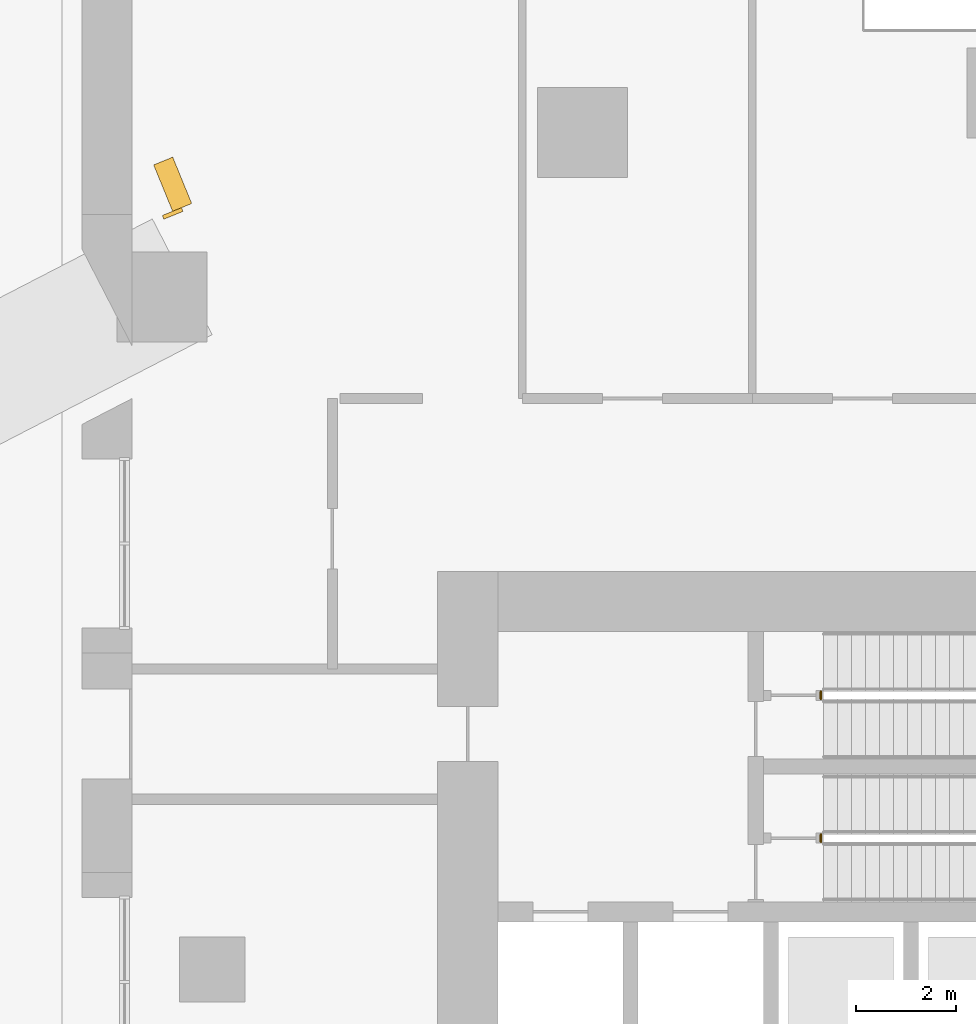
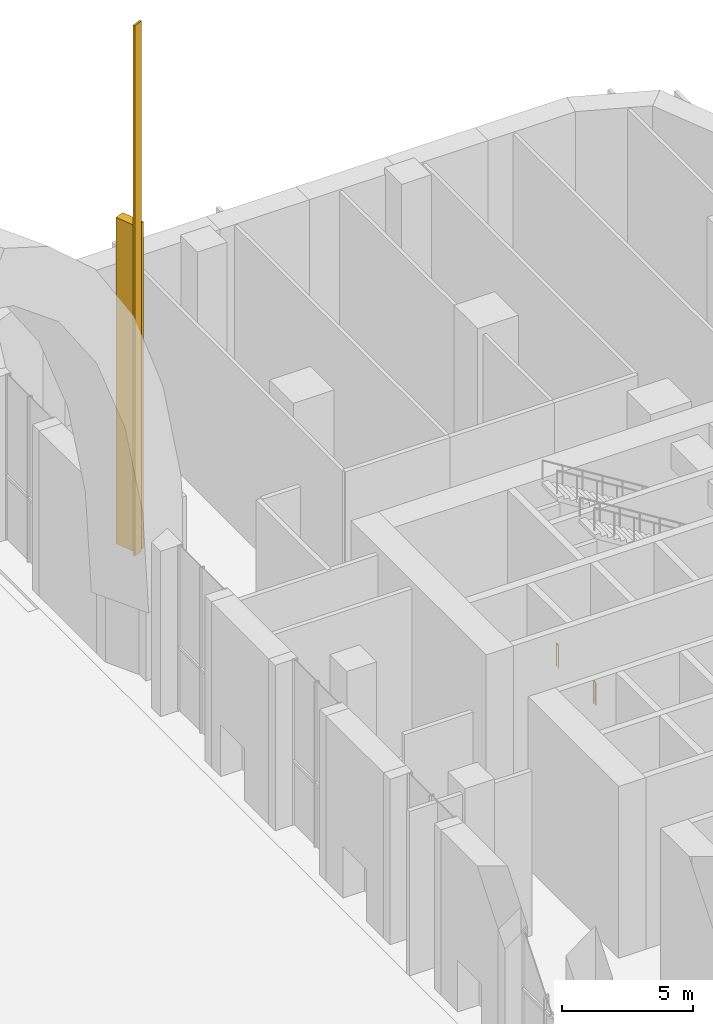
# One storey, part 18 of 22: 2 coverings, 2 railings.
"""IFC4 building model written with IfcOpenShell, lengths in metres."""

import ifcopenshell
import ifcopenshell.guid

model = None  # the IFC model being written
_history = None  # IfcOwnerHistory: only IFC2X3 demands one
_inside = {}  # id of a spatial element -> (the spatial element, [elements in it])
_under = {}  # id of a project, library or spatial element -> (it, [spatial elements below it])
_declared = {}  # id of a project -> (the project, [libraries it declares])
_typed = {}  # id of a type object -> (the type object, [elements of that type])
_made_of = {}  # id of a material, layer set ... -> (it, [elements and type objects made of it])


def new_model(schema):
    """Start an empty IFC model of exactly this schema.

    Asked for "IFC4X3", IfcOpenShell would pick the latest addendum, in which some entities
    have other attributes; the version numbers below select the first issue.
    IFC2X3 requires an IfcOwnerHistory on every rooted entity: one is made here for all.
    """
    global model, _history
    if schema == "IFC4X3":
        model = ifcopenshell.file(schema_version=(4, 3, 0, 0))
    else:
        model = ifcopenshell.file(schema=schema)
    _inside.clear()
    _under.clear()
    _declared.clear()
    _typed.clear()
    _made_of.clear()
    _history = None
    if model.schema == "IFC2X3":
        org = make("IfcOrganization", Name="unknown")
        user = make(
            "IfcPersonAndOrganization",
            ThePerson=make("IfcPerson", FamilyName="unknown"),
            TheOrganization=org,
        )
        app = make(
            "IfcApplication",
            ApplicationDeveloper=org,
            Version="unknown",
            ApplicationFullName="unknown",
            ApplicationIdentifier="unknown",
        )
        _history = make(
            "IfcOwnerHistory",
            OwningUser=user,
            OwningApplication=app,
            ChangeAction="ADDED",
            CreationDate=0,
        )
    return model


def make(cls, **values):
    """One entity of the class cls with the attributes given. An attribute that is None is left unset."""
    return model.create_entity(
        cls, **{name: value for name, value in values.items() if value is not None}
    )


def rooted(cls, **values):
    """An entity with a GlobalId (a new one), such as an element, a storey or a relation."""
    return make(cls, GlobalId=ifcopenshell.guid.new(), OwnerHistory=_history, **values)


def si_unit(unit_type, name, prefix=None):
    """IfcSIUnit, for example si_unit("LENGTHUNIT", "METRE", prefix="MILLI")."""
    return make("IfcSIUnit", UnitType=unit_type, Prefix=prefix, Name=name)


def assignment(units):
    """IfcUnitAssignment: the units of a project."""
    return None if units is None else make("IfcUnitAssignment", Units=units)


def point(xyz):
    """IfcCartesianPoint."""
    return None if xyz is None else make("IfcCartesianPoint", Coordinates=xyz)


def direction(xyz):
    """IfcDirection."""
    return None if xyz is None else make("IfcDirection", DirectionRatios=xyz)


def frame(location, z_axis=None, x_axis=None):
    """IfcAxis2Placement3D, a coordinate frame: its origin and axes. An axis left out is left unset."""
    return make(
        "IfcAxis2Placement3D",
        Location=point(location),
        Axis=direction(z_axis),
        RefDirection=direction(x_axis),
    )


def frame_2d(location, x_axis=None):
    """IfcAxis2Placement2D, a coordinate frame in the plane: its origin and x axis."""
    return make(
        "IfcAxis2Placement2D", Location=point(location), RefDirection=direction(x_axis)
    )


def origin():
    """The frame at (0, 0, 0) with its axes left unset."""
    return frame((0.0, 0.0, 0.0))


def origin_2d():
    """The frame at (0, 0) in the plane with its x axis left unset."""
    return frame_2d((0.0, 0.0))


def place(relative_to, where):
    """IfcLocalPlacement: puts the frame where relative to a parent placement (None: the world)."""
    return make(
        "IfcLocalPlacement", PlacementRelTo=relative_to, RelativePlacement=where
    )


def context(
    kind, dimensions, precision=None, world=None, true_north=None, identifier=None
):
    """IfcGeometricRepresentationContext, for example the 3D "Model" context."""
    return make(
        "IfcGeometricRepresentationContext",
        ContextIdentifier=identifier,
        ContextType=kind,
        CoordinateSpaceDimension=dimensions,
        Precision=precision,
        WorldCoordinateSystem=world,
        TrueNorth=true_north,
    )


def subcontext(parent, identifier, kind, view, scale=None):
    """IfcGeometricRepresentationSubContext, for example "Body" below "Model"."""
    return make(
        "IfcGeometricRepresentationSubContext",
        ContextIdentifier=identifier,
        ContextType=kind,
        ParentContext=parent,
        TargetScale=scale,
        TargetView=view,
    )


def project(units=None, contexts=None):
    """IfcProject with its units and contexts."""
    return rooted(
        "IfcProject",
        Name="project",
        RepresentationContexts=contexts,
        UnitsInContext=assignment(units),
    )


def spatial(cls, under=None, at=None, **own):
    """A site, building, storey or space (cls), placed at a placement, below another one or the project."""
    s = rooted(cls, ObjectPlacement=at, **own)
    if under is not None:
        _under.setdefault(under.id(), (under, []))[1].append(s)
    return s


def profile(cls, at=None, kind="AREA", **sizes):
    """A parametric profile (cls). Its sizes go by their IFC names, for example OverallWidth=200.0."""
    return make(cls, ProfileType=kind, Position=at, **sizes)


def rectangle(**sizes):
    """IfcRectangleProfileDef."""
    return profile("IfcRectangleProfileDef", **sizes)


def circle(**sizes):
    """IfcCircleProfileDef."""
    return profile("IfcCircleProfileDef", **sizes)


def extrude(swept, where, along, depth):
    """IfcExtrudedAreaSolid: the profile swept, set in the frame where, extruded along a direction by depth."""
    return make(
        "IfcExtrudedAreaSolid",
        SweptArea=swept,
        Position=where,
        ExtrudedDirection=direction(along),
        Depth=depth,
    )


def shape(context_of_items, identifier, shape_type, items):
    """IfcShapeRepresentation: the items that make up one representation, for example the "Body"."""
    return make(
        "IfcShapeRepresentation",
        ContextOfItems=context_of_items,
        RepresentationIdentifier=identifier,
        RepresentationType=shape_type,
        Items=items,
    )


def material(Name=None, Category=None):
    """IfcMaterial."""
    return make("IfcMaterial", Name=Name, Category=Category)


def layer(
    of_material, thickness, ventilated=None, Name=None, Category=None, Priority=None
):
    """IfcMaterialLayer: one layer of a wall or slab, of a material (None: an air gap)."""
    return make(
        "IfcMaterialLayer",
        Material=of_material,
        LayerThickness=thickness,
        IsVentilated=ventilated,
        Name=Name,
        Category=Category,
        Priority=Priority,
    )


def layer_set(layers, Name=None):
    """IfcMaterialLayerSet."""
    return make("IfcMaterialLayerSet", MaterialLayers=layers, LayerSetName=Name)


def made_of(thing, what):
    """Note that an element or type object is made of a material, layer set ...; save() writes the relation."""
    if what is not None:
        _made_of.setdefault(what.id(), (what, []))[1].append(thing)
    return thing


def type_object(cls, material=None, **own):
    """A type object (cls), such as IfcWallType, which elements share."""
    return made_of(rooted(cls, **own), material)


def element(
    cls,
    number,
    at=None,
    inside=None,
    cuts=None,
    type_object=None,
    material=None,
    context=None,
    identifier="Body",
    shape_type=None,
    held_by="IfcProductDefinitionShape",
    body=None,
    shapes=None,
    **own,
):
    """One element of the class cls, such as IfcWall. Its Tag is "e" and its number.

    at: its placement. inside: the storey or other place that contains it. cuts: it is an
    opening in that element (IfcRelVoidsElement). A single representation is given by context,
    identifier, shape_type and body (its items); several are given by shapes. held_by: the class
    of the entity that holds the representations. save() writes the other relations.
    """
    e = rooted(cls, Tag="e%d" % number, ObjectPlacement=at, **own)
    if body is not None:
        shapes = [shape(context, identifier, shape_type, body)]
    if shapes is not None:
        e.Representation = make(held_by, Representations=shapes)
    if inside is not None:
        _inside.setdefault(inside.id(), (inside, []))[1].append(e)
    if cuts is not None:
        rooted(
            "IfcRelVoidsElement", RelatingBuildingElement=cuts, RelatedOpeningElement=e
        )
    if type_object is not None:
        _typed.setdefault(type_object.id(), (type_object, []))[1].append(e)
    return made_of(e, material)


def aggregate(whole, parts):
    """IfcRelAggregates: a whole, such as a stair, and the parts it consists of."""
    return rooted("IfcRelAggregates", RelatingObject=whole, RelatedObjects=parts)


def save(model, path):
    """Write the relations noted so far, then the file.

    IfcRelAggregates (storeys below a building ...), IfcRelContainedInSpatialStructure (elements
    in a storey), IfcRelDefinesByType, IfcRelAssociatesMaterial and IfcRelDeclares: one each for
    every whole, place, type object, material and project.
    """
    for whole, parts in _under.values():
        aggregate(whole, parts)
    for where, things in _inside.values():
        rooted(
            "IfcRelContainedInSpatialStructure",
            RelatedElements=things,
            RelatingStructure=where,
        )
    for kind, things in _typed.values():
        rooted("IfcRelDefinesByType", RelatedObjects=things, RelatingType=kind)
    for what, things in _made_of.values():
        rooted("IfcRelAssociatesMaterial", RelatedObjects=things, RelatingMaterial=what)
    for by, libraries in _declared.values():
        rooted("IfcRelDeclares", RelatingContext=by, RelatedDefinitions=libraries)
    model.write(path)


model = new_model("IFC4")

# Units and contexts
model_context = context("Model", 3, precision=1e-05, world=origin(), true_north=direction((0.0, 1.0)))
body_context = subcontext(model_context, "Body", "Model", "MODEL_VIEW")
ifc_project = project(units=[si_unit("LENGTHUNIT", "METRE"), si_unit("AREAUNIT", "SQUARE_METRE"), si_unit("VOLUMEUNIT", "CUBIC_METRE"), si_unit("PLANEANGLEUNIT", "RADIAN"), si_unit("MASSUNIT", "GRAM", prefix="KILO")], contexts=[model_context])

# Site, building, storey
site_placement = place(None, origin())
site = spatial("IfcSite", under=ifc_project, at=site_placement, CompositionType="ELEMENT")
building_placement = place(site_placement, origin())
building = spatial("IfcBuilding", under=site, at=building_placement, Name="Ostrand Prow Hotel Tower", CompositionType="ELEMENT")
storey_placement = place(building_placement, origin())
storey = spatial("IfcBuildingStorey", under=building, at=storey_placement, Name="L00", CompositionType="ELEMENT", Elevation=0.0)

# Coverings
ifc_material_1 = material(Name="Dark bronze anodised aluminium lining", Category="aluminium")
ifc_layer_1 = layer(ifc_material_1, 0.080078125)
ifc_layer_set_1 = layer_set([ifc_layer_1], Name="Dark bronze anodised aluminium lining")
covering_type_1 = type_object("IfcCoveringType", Name="Arch spandrel limestone cladding 80 mm", PredefinedType="CLADDING", material=ifc_layer_set_1)
covering_1_placement = place(storey_placement, frame((44.019775390625, 24.0166015625, 4.0), z_axis=(0.0, 0.0, 1.0), x_axis=(0.925329067547, 0.379165025751, 0.0)))
element("IfcCovering", 1, at=covering_1_placement, inside=storey, type_object=covering_type_1, Name="Arch spandrel cladding N 15", PredefinedType="CLADDING", context=body_context, shape_type="SweptSolid", body=[
    extrude(rectangle(XDim=0.410888671875, YDim=0.080078125, at=frame_2d((0.20556640625, 0.0))), origin(), (0.0, 0.0, 1.0), 24.699951171875),
])
ifc_material_2 = material(Name="Limestone cladding", Category="masonry")
ifc_layer_2 = layer(ifc_material_2, 1.0)
ifc_layer_set_2 = layer_set([ifc_layer_2], Name="Limestone cladding")
covering_type_2 = type_object("IfcCoveringType", Name="Portal frame limestone 1000 mm", PredefinedType="CLADDING", material=ifc_layer_set_2)
covering_2_placement = place(storey_placement, frame((44.019775390625, 24.60009765625, 4.0), z_axis=(0.0, 0.0, 1.0), x_axis=(0.925537487018, 0.378655991799, 0.0)))
element("IfcCovering", 2, at=covering_2_placement, inside=storey, type_object=covering_type_2, Name="Portal frame N 15", PredefinedType="CLADDING", context=body_context, shape_type="SweptSolid", body=[
    extrude(rectangle(XDim=0.41064453125, YDim=1.0, at=frame_2d((0.205322265625, 0.0))), origin(), (0.0, 0.0, 1.0), 15.1884765625),
])

# Railings
ifc_material_3 = material(Name="Painted steel", Category="steel")
railing_type = type_object("IfcRailingType", Name="Stair guard 1100", PredefinedType="GUARDRAIL", material=ifc_material_3)
railing_1_placement = place(storey_placement, frame((57.14990234375, 11.550048828125, 0.0)))
element("IfcRailing", 3, at=railing_1_placement, inside=storey, type_object=railing_type, Name="L00 ST1A stair guard 4", PredefinedType="GUARDRAIL", context=body_context, shape_type="SweptSolid", body=[
    extrude(circle(Radius=0.02392578125, at=origin_2d()), frame((0.0, 0.0, 1.076171875), z_axis=(0.0, 1.0, 0.0), x_axis=(-1.0, 0.0, 0.0)), (0.0, 0.0, 1.0), 0.14990234375),
    extrude(circle(Radius=0.02099609375, at=origin_2d()), origin(), (0.0, 0.0, 1.0), 1.052001953125),
    extrude(circle(Radius=0.02099609375, at=origin_2d()), frame((0.0, 0.14990234375, 0.0)), (0.0, 0.0, 1.0), 1.052001953125),
])
railing_2_placement = place(storey_placement, frame((57.14990234375, 14.39990234375, 0.0)))
element("IfcRailing", 4, at=railing_2_placement, inside=storey, type_object=railing_type, Name="L00 ST3A stair guard 4", PredefinedType="GUARDRAIL", context=body_context, shape_type="SweptSolid", body=[
    extrude(circle(Radius=0.02392578125, at=origin_2d()), frame((0.0, 0.0, 1.076171875), z_axis=(0.0, 1.0, 0.0), x_axis=(-1.0, 0.0, 0.0)), (0.0, 0.0, 1.0), 0.150146484375),
    extrude(circle(Radius=0.02099609375, at=origin_2d()), origin(), (0.0, 0.0, 1.0), 1.052001953125),
    extrude(circle(Radius=0.02099609375, at=origin_2d()), frame((0.0, 0.150146484375, 0.0)), (0.0, 0.0, 1.0), 1.052001953125),
])

save(model, "model.ifc")
